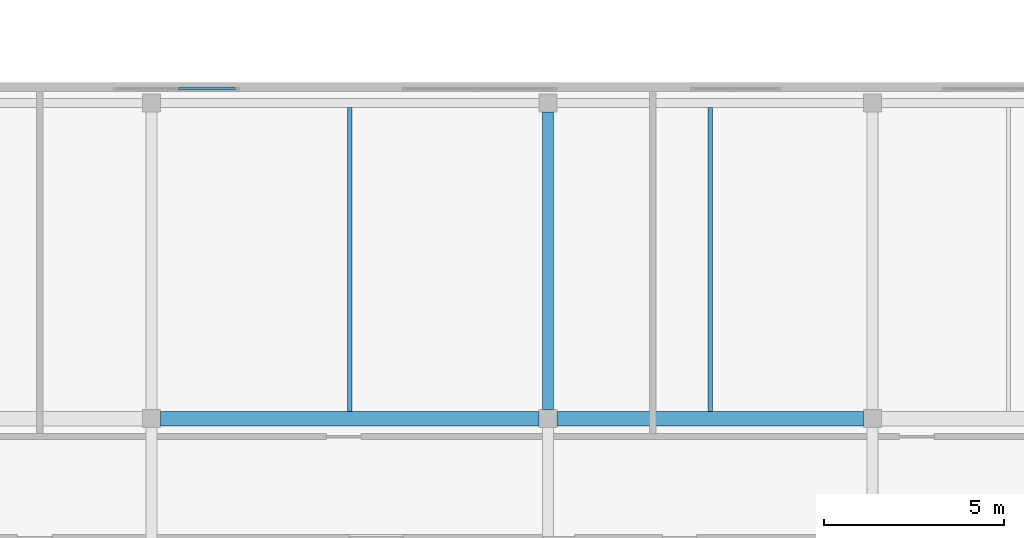
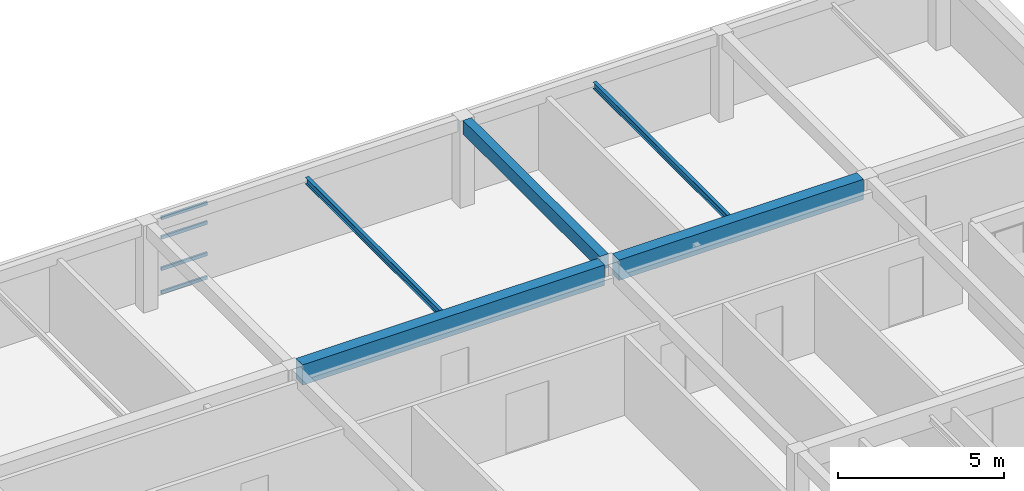
# One storey, part 26 of 89: 5 beams, 4 members, 1 element without a shape of its own.
"""IFC4 building model written with IfcOpenShell, lengths in metres."""

from ifc_helpers import new_model, si_unit, direction, frame, origin, origin_2d, place, context, subcontext, project, spatial, rectangle, hollow_rectangle, i_section, extrude, material, layer, layer_set, material_profile, profile_set, type_object, element, aggregate, save


model = new_model("IFC4")

# Units and contexts
model_context = context("Model", 3, precision=1e-05, world=origin(), true_north=direction((0.0, 1.0)))
body_context = subcontext(model_context, "Body", "Model", "MODEL_VIEW")
ifc_project = project(units=[si_unit("LENGTHUNIT", "METRE"), si_unit("AREAUNIT", "SQUARE_METRE"), si_unit("VOLUMEUNIT", "CUBIC_METRE"), si_unit("PLANEANGLEUNIT", "RADIAN"), si_unit("MASSUNIT", "GRAM", prefix="KILO")], contexts=[model_context])

# Site, building, storey
site_placement = place(None, origin())
site = spatial("IfcSite", under=ifc_project, at=site_placement, CompositionType="ELEMENT")
building_placement = place(site_placement, origin())
building = spatial("IfcBuilding", under=site, at=building_placement, Name="Keldmere Railside Commons", CompositionType="ELEMENT")
storey_placement = place(building_placement, frame((0.0, 0.0, 7.360107421875)))
storey = spatial("IfcBuildingStorey", under=building, at=storey_placement, Name="L02", CompositionType="ELEMENT", Elevation=7.360107421875)

# Beams
ifc_material_1 = material(Name="Concrete H-35 (C35/45)", Category="concrete")
ifc_material_profile_1 = material_profile(ifc_material_1, rectangle(XDim=0.39990234375, YDim=0.75, at=origin_2d()), Name="RC-400x750")
ifc_profile_set_1 = profile_set([ifc_material_profile_1], Name="Concrete H-35 (C35/45)")
beam_type_1 = type_object("IfcBeamType", Name="Civic Frame RC Girder 400x750", PredefinedType="BEAM", material=ifc_profile_set_1)
beam_1_placement = place(storey_placement, frame((148.25, 30.800048828125, 2.824951171875), z_axis=(1.0, 0.0, 0.0), x_axis=(0.0, 1.0, 0.0)))
element("IfcBeam", 1, at=beam_1_placement, inside=storey, type_object=beam_type_1, Name="BG-2 BM-L02-1060", PredefinedType="BEAM", context=body_context, shape_type="SweptSolid", body=[
    extrude(rectangle(XDim=0.39990234375, YDim=0.75, at=origin_2d()), origin(), (0.0, 0.0, 1.0), 10.5),
])
beam_2_placement = place(storey_placement, frame((159.25, 30.800048828125, 2.824951171875), z_axis=(1.0, 0.0, 0.0), x_axis=(0.0, 1.0, 0.0)))
element("IfcBeam", 2, at=beam_2_placement, inside=storey, type_object=beam_type_1, Name="BG-2 BM-L02-1061", PredefinedType="BEAM", context=body_context, shape_type="SweptSolid", body=[
    extrude(rectangle(XDim=0.39990234375, YDim=0.75, at=origin_2d()), origin(), (0.0, 0.0, 1.0), 8.5),
])
ifc_material_2 = material(Name="Steel F-36 (S355)", Category="steel")
ifc_material_profile_2 = material_profile(ifc_material_2, i_section(OverallWidth=0.1201171875, OverallDepth=0.239990234375, WebThickness=0.006103515625, FlangeThickness=0.009765625, at=origin_2d()), Name="IPE-240")
ifc_profile_set_2 = profile_set([ifc_material_profile_2], Name="Steel F-36 (S355)")
beam_type_2 = type_object("IfcBeamType", Name="Nursery & Mezzanine Steel Joist IPE240", PredefinedType="JOIST", material=ifc_profile_set_2)
for number, where, z_axis, x_axis, name in (
    (3, (153.5, 31.0, 2.809814453125), (0.0, 1.0, 0.0), (-1.0, 0.0, 0.0), "JST-2 BM-L02-1277"),
    (4, (163.5, 31.0, 2.809814453125), (0.0, 1.0, 0.0), (-1.0, 0.0, 0.0), "JST-2 BM-L02-1278"),
):
    element("IfcBeam", number, at=place(storey_placement, frame(where, z_axis=z_axis, x_axis=x_axis)), inside=storey, type_object=beam_type_2, Name=name, PredefinedType="JOIST", context=body_context, shape_type="SweptSolid", body=[
        extrude(i_section(OverallWidth=0.1201171875, OverallDepth=0.239990234375, WebThickness=0.006103515625, FlangeThickness=0.009765625, at=origin_2d()), origin(), (0.0, 0.0, 1.0), 8.425048828125),
    ])
ifc_material_3 = material(Name="Concrete H-30 (C30/37)", Category="concrete")
ifc_material_profile_3 = material_profile(ifc_material_3, rectangle(XDim=0.300048828125, YDim=0.5, at=origin_2d()), Name="RC-300x500")
ifc_profile_set_3 = profile_set([ifc_material_profile_3], Name="Concrete H-30 (C30/37)")
beam_type_3 = type_object("IfcBeamType", Name="Secondary Frame RC Beam 300x500", PredefinedType="BEAM", material=ifc_profile_set_3)
beam_3_placement = place(storey_placement, frame((159.0, 31.050048828125, 2.949951171875), z_axis=(0.0, 1.0, 0.0), x_axis=(-1.0, 0.0, 0.0)))
element("IfcBeam", 5, at=beam_3_placement, inside=storey, type_object=beam_type_3, Name="BG-5 BM-L02-1241", PredefinedType="BEAM", context=body_context, shape_type="SweptSolid", body=[
    extrude(rectangle(XDim=0.300048828125, YDim=0.5, at=origin_2d()), origin(), (0.0, 0.0, 1.0), 8.25),
])

# Curtain wall, members
ifc_material_4 = material(Name="Thermally Broken Aluminium", Category="aluminium")
ifc_layer = layer(ifc_material_4, 0.159912109375, Name="Sky-Terrace Lounge CW 3400x2850")
ifc_layer_set = layer_set([ifc_layer], Name="Thermally Broken Aluminium")
curtain_wall_type = type_object("IfcCurtainWallType", Name="Sky-Terrace Lounge CW 3400x2850", PredefinedType="NOTDEFINED", material=ifc_layer_set)
curtain_wall_placement = place(storey_placement, origin())
curtain_wall = element("IfcCurtainWall", 6, at=curtain_wall_placement, inside=storey, type_object=curtain_wall_type, Name="CW-14 CW-L02-226", PredefinedType="NOTDEFINED")
ifc_material_profile_4 = material_profile(ifc_material_4, hollow_rectangle(XDim=0.06494140625, YDim=0.1201171875, WallThickness=0.00390625, at=origin_2d()), Name="ALU-TRAN-65x120")
ifc_profile_set_4 = profile_set([ifc_material_profile_4], Name="Thermally Broken Aluminium")
member_type = type_object("IfcMemberType", Name="Unitised Curtain Wall Transom 65x120", PredefinedType="USERDEFINED", material=ifc_profile_set_4)
member_1_placement = place(storey_placement, frame((148.732421875, 39.949951171875, 0.032470703125), z_axis=(1.0, 0.0, 0.0), x_axis=(0.0, 1.0, 0.0)))
member_1 = element("IfcMember", 7, at=member_1_placement, type_object=member_type, Name="CW-14 transom 2.1", ObjectType="TRANSOM", PredefinedType="USERDEFINED", context=body_context, shape_type="SweptSolid", body=[
    extrude(hollow_rectangle(XDim=0.06494140625, YDim=0.1201171875, WallThickness=0.00390625, at=origin_2d()), origin(), (0.0, 0.0, 1.0), 1.6025390625),
])
member_2_placement = place(storey_placement, frame((148.732421875, 39.949951171875, 0.89990234375), z_axis=(1.0, 0.0, 0.0), x_axis=(0.0, 1.0, 0.0)))
member_2 = element("IfcMember", 8, at=member_2_placement, type_object=member_type, Name="CW-14 transom 2.2", ObjectType="TRANSOM", PredefinedType="USERDEFINED", context=body_context, shape_type="SweptSolid", body=[
    extrude(hollow_rectangle(XDim=0.06494140625, YDim=0.1201171875, WallThickness=0.00390625, at=origin_2d()), origin(), (0.0, 0.0, 1.0), 1.6025390625),
])
member_3_placement = place(storey_placement, frame((148.732421875, 39.949951171875, 2.0498046875), z_axis=(1.0, 0.0, 0.0), x_axis=(0.0, 1.0, 0.0)))
member_3 = element("IfcMember", 9, at=member_3_placement, type_object=member_type, Name="CW-14 transom 2.3", ObjectType="TRANSOM", PredefinedType="USERDEFINED", context=body_context, shape_type="SweptSolid", body=[
    extrude(hollow_rectangle(XDim=0.06494140625, YDim=0.1201171875, WallThickness=0.00390625, at=origin_2d()), origin(), (0.0, 0.0, 1.0), 1.6025390625),
])
member_4_placement = place(storey_placement, frame((148.732421875, 39.949951171875, 2.767333984375), z_axis=(1.0, 0.0, 0.0), x_axis=(0.0, 1.0, 0.0)))
member_4 = element("IfcMember", 10, at=member_4_placement, type_object=member_type, Name="CW-14 transom 2.4", ObjectType="TRANSOM", PredefinedType="USERDEFINED", context=body_context, shape_type="SweptSolid", body=[
    extrude(hollow_rectangle(XDim=0.06494140625, YDim=0.1201171875, WallThickness=0.00390625, at=origin_2d()), origin(), (0.0, 0.0, 1.0), 1.6025390625),
])
aggregate(curtain_wall, [member_1, member_2, member_3, member_4])

save(model, "model.ifc")
